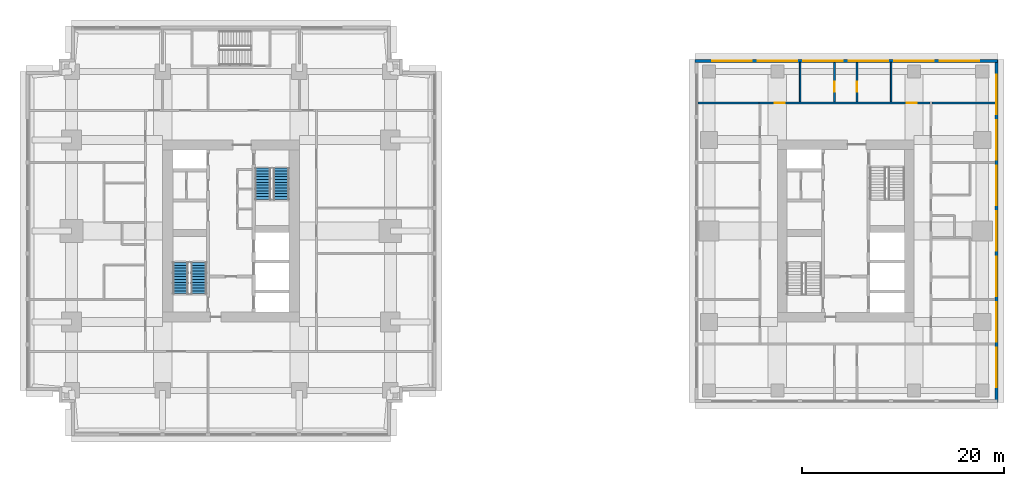
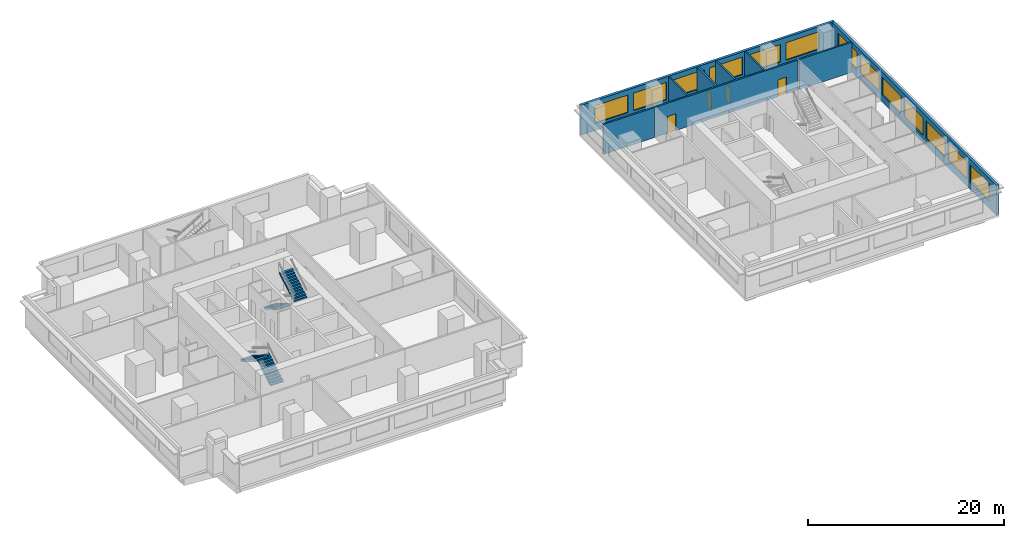
# One storey, part 8 of 11: 13 windows, 9 walls, 4 doors, 4 stair flights, 17 openings, 2 elements without a shape of their own.
"""IFC4 building model written with IfcOpenShell, lengths in metres."""

from ifc_helpers import new_model, si_unit, direction, frame, frame_2d, origin, place, context, subcontext, project, spatial, polyline, rectangle, outline, extrude, material, layer, layer_set, type_object, element, fill, aggregate, save


model = new_model("IFC4")

# Units and contexts
model_context = context("Model", 3, precision=1e-05, world=origin(), true_north=direction((0.0, 1.0)))
body_context = subcontext(model_context, "Body", "Model", "MODEL_VIEW")
ifc_project = project(units=[si_unit("LENGTHUNIT", "METRE"), si_unit("AREAUNIT", "SQUARE_METRE"), si_unit("VOLUMEUNIT", "CUBIC_METRE"), si_unit("PLANEANGLEUNIT", "RADIAN"), si_unit("MASSUNIT", "GRAM", prefix="KILO")], contexts=[model_context])

# Site, building, storey
site_placement = place(None, origin())
site = spatial("IfcSite", under=ifc_project, at=site_placement, CompositionType="ELEMENT")
building_placement = place(site_placement, origin())
building = spatial("IfcBuilding", under=site, at=building_placement, Name="Namib Vertical Campus", CompositionType="ELEMENT")
storey_placement = place(building_placement, frame((0.0, 0.0, 217.0)))
storey = spatial("IfcBuildingStorey", under=building, at=storey_placement, Name="L51", CompositionType="ELEMENT", Elevation=217.0)

# Wall, openings, doors
ifc_material_1 = material(Name="Concrete masonry", Category="masonry")
ifc_layer_1 = layer(ifc_material_1, 0.199951171875)
ifc_layer_set_1 = layer_set([ifc_layer_1], Name="Corridor wall 200")
wall_type_1 = type_object("IfcWallType", Name="Corridor wall 200", PredefinedType="SOLIDWALL", material=ifc_layer_set_1)
wall_1_placement = place(storey_placement, frame((89.35009765625, 32.89990234375, 0.0), z_axis=(0.0, 0.0, 1.0), x_axis=(-1.0, 0.0, 0.0)))
wall_1 = element("IfcWall", 1, at=wall_1_placement, inside=storey, type_object=wall_type_1, Name="Corridor wall B L51 CN", PredefinedType="SOLIDWALL", context=body_context, shape_type="SweptSolid", body=[
    extrude(rectangle(XDim=16.900146484375, YDim=0.199951171875, at=frame_2d((8.4501953125, 0.0))), origin(), (0.0, 0.0, 1.0), 3.75),
])
opening_1_placement = place(wall_1_placement, frame((14.375, 0.0, 0.0)))
opening_1 = element("IfcOpeningElement", 2, at=opening_1_placement, cuts=wall_1, Name="Opening CD1", PredefinedType="OPENING", context=body_context, shape_type="SweptSolid", body=[
    extrude(rectangle(XDim=1.0, YDim=2.10009765625, at=frame_2d((0.5, 1.050048828125))), frame((0.0, 0.10986328125, 0.0), z_axis=(0.0, -1.0, 0.0), x_axis=(1.0, 0.0, 0.0)), (0.0, 0.0, 1.0), 0.219970703125),
])
opening_2_placement = place(wall_1_placement, frame((1.324951171875, 0.0, 0.0)))
opening_2 = element("IfcOpeningElement", 3, at=opening_2_placement, cuts=wall_1, Name="Opening CD1", PredefinedType="OPENING", context=body_context, shape_type="SweptSolid", body=[
    extrude(rectangle(XDim=1.0, YDim=2.10009765625, at=frame_2d((0.5, 1.050048828125))), frame((0.0, 0.10986328125, 0.0), z_axis=(0.0, -1.0, 0.0), x_axis=(1.0, 0.0, 0.0)), (0.0, 0.0, 1.0), 0.219970703125),
])
ifc_material_2 = material(Name="Timber fire door leaf", Category="wood")
door_type = type_object("IfcDoorType", Name="Corridor door 1000x2100 20 min", OperationType="SINGLE_SWING_LEFT", PredefinedType="DOOR", material=ifc_material_2)
door_1_placement = place(opening_1_placement, frame((1.0, 0.0, 0.0), z_axis=(0.0, 0.0, 1.0), x_axis=(-1.0, 0.0, 0.0)))
door_1 = element("IfcDoor", 4, at=door_1_placement, inside=storey, type_object=door_type, Name="Door CD1 B51-10", OperationType="SINGLE_SWING_RIGHT", OverallHeight=2.10009765625, OverallWidth=1.0, PredefinedType="DOOR", context=body_context, shape_type="SweptSolid", body=[
    extrude(rectangle(XDim=1.0, YDim=2.10009765625, at=frame_2d((0.5, 1.050048828125))), frame((0.0, 0.02490234375, 0.0), z_axis=(0.0, -1.0, 0.0), x_axis=(1.0, 0.0, 0.0)), (0.0, 0.0, 1.0), 0.050048828125),
])
fill(opening_1, door_1)
door_2_placement = place(opening_2_placement, frame((1.0, 0.0, 0.0), z_axis=(0.0, 0.0, 1.0), x_axis=(-1.0, 0.0, 0.0)))
door_2 = element("IfcDoor", 5, at=door_2_placement, inside=storey, type_object=door_type, Name="Door CD1 B51-13", OperationType="SINGLE_SWING_LEFT", OverallHeight=2.10009765625, OverallWidth=1.0, PredefinedType="DOOR", context=body_context, shape_type="SweptSolid", body=[
    extrude(rectangle(XDim=1.0, YDim=2.10009765625, at=frame_2d((0.5, 1.050048828125))), frame((0.0, 0.02490234375, 0.0), z_axis=(0.0, -1.0, 0.0), x_axis=(1.0, 0.0, 0.0)), (0.0, 0.0, 1.0), 0.050048828125),
])
fill(opening_2, door_2)

# Wall, opening, door
wall_2_placement = place(storey_placement, frame((79.89990234375, 33.0, 0.0), z_axis=(0.0, 0.0, 1.0), x_axis=(0.0, 1.0, 0.0)))
wall_2 = element("IfcWall", 6, at=wall_2_placement, inside=storey, type_object=wall_type_1, Name="Corridor wall B L51 SPN1", PredefinedType="SOLIDWALL", context=body_context, shape_type="SweptSolid", body=[
    extrude(rectangle(XDim=3.89990234375, YDim=0.199951171875, at=frame_2d((1.949951171875, 0.0))), origin(), (0.0, 0.0, 1.0), 3.75),
])
opening_3_placement = place(wall_2_placement, frame((1.0, 0.0, 0.0)))
opening_3 = element("IfcOpeningElement", 7, at=opening_3_placement, cuts=wall_2, Name="Opening CD1", PredefinedType="OPENING", context=body_context, shape_type="SweptSolid", body=[
    extrude(rectangle(XDim=1.0, YDim=2.10009765625, at=frame_2d((0.5, 1.050048828125))), frame((0.0, 0.10986328125, 0.0), z_axis=(0.0, -1.0, 0.0), x_axis=(1.0, 0.0, 0.0)), (0.0, 0.0, 1.0), 0.219970703125),
])
door_3_placement = place(opening_3_placement, origin())
door_3 = element("IfcDoor", 8, at=door_3_placement, inside=storey, type_object=door_type, Name="Door CD1 B51-11", OperationType="SINGLE_SWING_LEFT", OverallHeight=2.10009765625, OverallWidth=1.0, PredefinedType="DOOR", context=body_context, shape_type="SweptSolid", body=[
    extrude(rectangle(XDim=1.0, YDim=2.10009765625, at=frame_2d((0.5, 1.050048828125))), frame((0.0, 0.02490234375, 0.0), z_axis=(0.0, -1.0, 0.0), x_axis=(1.0, 0.0, 0.0)), (0.0, 0.0, 1.0), 0.050048828125),
])
fill(opening_3, door_3)

wall_3_placement = place(storey_placement, frame((82.10009765625, 36.89990234375, 0.0), z_axis=(0.0, 0.0, 1.0), x_axis=(0.0, -1.0, 0.0)))
wall_3 = element("IfcWall", 9, at=wall_3_placement, inside=storey, type_object=wall_type_1, Name="Corridor wall B L51 SPN2", PredefinedType="SOLIDWALL", context=body_context, shape_type="SweptSolid", body=[
    extrude(rectangle(XDim=3.89990234375, YDim=0.199951171875, at=frame_2d((1.949951171875, 0.0))), origin(), (0.0, 0.0, 1.0), 3.75),
])
opening_4_placement = place(wall_3_placement, frame((1.89990234375, 0.0, 0.0)))
opening_4 = element("IfcOpeningElement", 10, at=opening_4_placement, cuts=wall_3, Name="Opening CD1", PredefinedType="OPENING", context=body_context, shape_type="SweptSolid", body=[
    extrude(rectangle(XDim=1.0, YDim=2.10009765625, at=frame_2d((0.5, 1.050048828125))), frame((0.0, 0.10986328125, 0.0), z_axis=(0.0, -1.0, 0.0), x_axis=(1.0, 0.0, 0.0)), (0.0, 0.0, 1.0), 0.219970703125),
])
door_4_placement = place(opening_4_placement, origin())
door_4 = element("IfcDoor", 11, at=door_4_placement, inside=storey, type_object=door_type, Name="Door CD1 B51-12", OperationType="SINGLE_SWING_RIGHT", OverallHeight=2.10009765625, OverallWidth=1.0, PredefinedType="DOOR", context=body_context, shape_type="SweptSolid", body=[
    extrude(rectangle(XDim=1.0, YDim=2.10009765625, at=frame_2d((0.5, 1.050048828125))), frame((0.0, 0.02490234375, 0.0), z_axis=(0.0, -1.0, 0.0), x_axis=(1.0, 0.0, 0.0)), (0.0, 0.0, 1.0), 0.050048828125),
])
fill(opening_4, door_4)

# Walls
wall_4_placement = place(storey_placement, frame((66.39990234375, 32.89990234375, 0.0), z_axis=(0.0, 0.0, 1.0), x_axis=(1.0, 0.0, 0.0)))
element("IfcWall", 12, at=wall_4_placement, inside=storey, type_object=wall_type_1, Name="Partition B L51 BNW", PredefinedType="SOLIDWALL", context=body_context, shape_type="SweptSolid", body=[
    extrude(rectangle(XDim=6.050048828125, YDim=0.199951171875, at=frame_2d((3.02490234375, 0.0))), origin(), (0.0, 0.0, 1.0), 3.75),
])
wall_5_placement = place(storey_placement, frame((89.550048828125, 32.89990234375, 0.0), z_axis=(0.0, 0.0, 1.0), x_axis=(1.0, 0.0, 0.0)))
element("IfcWall", 13, at=wall_5_placement, inside=storey, type_object=wall_type_1, Name="Partition B L51 BNE", PredefinedType="SOLIDWALL", context=body_context, shape_type="SweptSolid", body=[
    extrude(rectangle(XDim=6.199951171875, YDim=0.199951171875, at=frame_2d((3.10009765625, 0.0))), origin(), (0.0, 0.0, 1.0), 3.75),
])

# Wall, openings, windows
ifc_material_3 = material(Name="Concrete C40/50", Category="concrete")
ifc_layer_2 = layer(ifc_material_3, 0.300048828125)
ifc_layer_set_2 = layer_set([ifc_layer_2], Name="Concrete C40/50")
wall_type_2 = type_object("IfcWallType", Name="External wall 300 board-marked concrete", PredefinedType="STANDARD", material=ifc_layer_set_2)
wall_6_placement = place(storey_placement, frame((95.89990234375, 3.320068359375, 0.0), z_axis=(0.0, 0.0, 1.0), x_axis=(0.0, 1.0, 0.0)))
wall_6 = element("IfcWall", 14, at=wall_6_placement, inside=storey, type_object=wall_type_2, Name="External wall L51 F02", PredefinedType="STANDARD", context=body_context, shape_type="SweptSolid", body=[
    extrude(rectangle(XDim=33.85986328125, YDim=0.300048828125, at=frame_2d((16.929931640625, 0.0))), origin(), (0.0, 0.0, 1.0), 3.75),
])
opening_5_placement = place(wall_6_placement, frame((1.47998046875, 0.0, 0.89990234375)))
opening_5 = element("IfcOpeningElement", 15, at=opening_5_placement, cuts=wall_6, Name="Opening W1", PredefinedType="OPENING", context=body_context, shape_type="SweptSolid", body=[
    extrude(rectangle(XDim=3.89990234375, YDim=2.199951171875, at=frame_2d((1.949951171875, 1.10009765625))), frame((0.0, 0.159912109375, 0.0), z_axis=(0.0, -1.0, 0.0), x_axis=(1.0, 0.0, 0.0)), (0.0, 0.0, 1.0), 0.320068359375),
])
opening_6_placement = place(wall_6_placement, frame((5.97998046875, 0.0, 0.89990234375)))
opening_6 = element("IfcOpeningElement", 16, at=opening_6_placement, cuts=wall_6, Name="Opening W1", PredefinedType="OPENING", context=body_context, shape_type="SweptSolid", body=[
    extrude(rectangle(XDim=3.89990234375, YDim=2.199951171875, at=frame_2d((1.949951171875, 1.10009765625))), frame((0.0, 0.159912109375, 0.0), z_axis=(0.0, -1.0, 0.0), x_axis=(1.0, 0.0, 0.0)), (0.0, 0.0, 1.0), 0.320068359375),
])
opening_7_placement = place(wall_6_placement, frame((10.47998046875, 0.0, 0.89990234375)))
opening_7 = element("IfcOpeningElement", 17, at=opening_7_placement, cuts=wall_6, Name="Opening W1", PredefinedType="OPENING", context=body_context, shape_type="SweptSolid", body=[
    extrude(rectangle(XDim=3.89990234375, YDim=2.199951171875, at=frame_2d((1.949951171875, 1.10009765625))), frame((0.0, 0.159912109375, 0.0), z_axis=(0.0, -1.0, 0.0), x_axis=(1.0, 0.0, 0.0)), (0.0, 0.0, 1.0), 0.320068359375),
])
opening_8_placement = place(wall_6_placement, frame((14.97998046875, 0.0, 0.89990234375)))
opening_8 = element("IfcOpeningElement", 18, at=opening_8_placement, cuts=wall_6, Name="Opening W1", PredefinedType="OPENING", context=body_context, shape_type="SweptSolid", body=[
    extrude(rectangle(XDim=3.89990234375, YDim=2.199951171875, at=frame_2d((1.949951171875, 1.10009765625))), frame((0.0, 0.159912109375, 0.0), z_axis=(0.0, -1.0, 0.0), x_axis=(1.0, 0.0, 0.0)), (0.0, 0.0, 1.0), 0.320068359375),
])
opening_9_placement = place(wall_6_placement, frame((19.47998046875, 0.0, 0.89990234375)))
opening_9 = element("IfcOpeningElement", 19, at=opening_9_placement, cuts=wall_6, Name="Opening W1", PredefinedType="OPENING", context=body_context, shape_type="SweptSolid", body=[
    extrude(rectangle(XDim=3.89990234375, YDim=2.199951171875, at=frame_2d((1.949951171875, 1.10009765625))), frame((0.0, 0.159912109375, 0.0), z_axis=(0.0, -1.0, 0.0), x_axis=(1.0, 0.0, 0.0)), (0.0, 0.0, 1.0), 0.320068359375),
])
opening_10_placement = place(wall_6_placement, frame((23.97998046875, 0.0, 0.89990234375)))
opening_10 = element("IfcOpeningElement", 20, at=opening_10_placement, cuts=wall_6, Name="Opening W1", PredefinedType="OPENING", context=body_context, shape_type="SweptSolid", body=[
    extrude(rectangle(XDim=3.89990234375, YDim=2.199951171875, at=frame_2d((1.949951171875, 1.10009765625))), frame((0.0, 0.159912109375, 0.0), z_axis=(0.0, -1.0, 0.0), x_axis=(1.0, 0.0, 0.0)), (0.0, 0.0, 1.0), 0.320068359375),
])
opening_11_placement = place(wall_6_placement, frame((28.47998046875, 0.0, 0.89990234375)))
opening_11 = element("IfcOpeningElement", 21, at=opening_11_placement, cuts=wall_6, Name="Opening W1", PredefinedType="OPENING", context=body_context, shape_type="SweptSolid", body=[
    extrude(rectangle(XDim=3.89990234375, YDim=2.199951171875, at=frame_2d((1.949951171875, 1.10009765625))), frame((0.0, 0.159912109375, 0.0), z_axis=(0.0, -1.0, 0.0), x_axis=(1.0, 0.0, 0.0)), (0.0, 0.0, 1.0), 0.320068359375),
])
ifc_material_4 = material(Name="Dark tinted glass in black aluminium frame", Category="aluminium")
window_type = type_object("IfcWindowType", Name="Ribbon window 3900x2200", PartitioningType="SINGLE_PANEL", PredefinedType="WINDOW", material=ifc_material_4)
window_1_placement = place(opening_5_placement, origin())
window_1 = element("IfcWindow", 22, at=window_1_placement, inside=storey, type_object=window_type, Name="Window W1 L51 F02-1", OverallHeight=2.199951171875, OverallWidth=3.89990234375, PartitioningType="SINGLE_PANEL", PredefinedType="WINDOW", context=body_context, shape_type="SweptSolid", body=[
    extrude(rectangle(XDim=3.89990234375, YDim=2.199951171875, at=frame_2d((1.949951171875, 1.10009765625))), frame((0.0, 0.030029296875, 0.0), z_axis=(0.0, -1.0, 0.0), x_axis=(1.0, 0.0, 0.0)), (0.0, 0.0, 1.0), 0.06005859375),
])
fill(opening_5, window_1)
window_2_placement = place(opening_6_placement, origin())
window_2 = element("IfcWindow", 23, at=window_2_placement, inside=storey, type_object=window_type, Name="Window W1 L51 F02-2", OverallHeight=2.199951171875, OverallWidth=3.89990234375, PartitioningType="SINGLE_PANEL", PredefinedType="WINDOW", context=body_context, shape_type="SweptSolid", body=[
    extrude(rectangle(XDim=3.89990234375, YDim=2.199951171875, at=frame_2d((1.949951171875, 1.10009765625))), frame((0.0, 0.030029296875, 0.0), z_axis=(0.0, -1.0, 0.0), x_axis=(1.0, 0.0, 0.0)), (0.0, 0.0, 1.0), 0.06005859375),
])
fill(opening_6, window_2)
window_3_placement = place(opening_7_placement, origin())
window_3 = element("IfcWindow", 24, at=window_3_placement, inside=storey, type_object=window_type, Name="Window W1 L51 F02-3", OverallHeight=2.199951171875, OverallWidth=3.89990234375, PartitioningType="SINGLE_PANEL", PredefinedType="WINDOW", context=body_context, shape_type="SweptSolid", body=[
    extrude(rectangle(XDim=3.89990234375, YDim=2.199951171875, at=frame_2d((1.949951171875, 1.10009765625))), frame((0.0, 0.030029296875, 0.0), z_axis=(0.0, -1.0, 0.0), x_axis=(1.0, 0.0, 0.0)), (0.0, 0.0, 1.0), 0.06005859375),
])
fill(opening_7, window_3)
window_4_placement = place(opening_8_placement, origin())
window_4 = element("IfcWindow", 25, at=window_4_placement, inside=storey, type_object=window_type, Name="Window W1 L51 F02-4", OverallHeight=2.199951171875, OverallWidth=3.89990234375, PartitioningType="SINGLE_PANEL", PredefinedType="WINDOW", context=body_context, shape_type="SweptSolid", body=[
    extrude(rectangle(XDim=3.89990234375, YDim=2.199951171875, at=frame_2d((1.949951171875, 1.10009765625))), frame((0.0, 0.030029296875, 0.0), z_axis=(0.0, -1.0, 0.0), x_axis=(1.0, 0.0, 0.0)), (0.0, 0.0, 1.0), 0.06005859375),
])
fill(opening_8, window_4)
window_5_placement = place(opening_9_placement, origin())
window_5 = element("IfcWindow", 26, at=window_5_placement, inside=storey, type_object=window_type, Name="Window W1 L51 F02-5", OverallHeight=2.199951171875, OverallWidth=3.89990234375, PartitioningType="SINGLE_PANEL", PredefinedType="WINDOW", context=body_context, shape_type="SweptSolid", body=[
    extrude(rectangle(XDim=3.89990234375, YDim=2.199951171875, at=frame_2d((1.949951171875, 1.10009765625))), frame((0.0, 0.030029296875, 0.0), z_axis=(0.0, -1.0, 0.0), x_axis=(1.0, 0.0, 0.0)), (0.0, 0.0, 1.0), 0.06005859375),
])
fill(opening_9, window_5)
window_6_placement = place(opening_10_placement, origin())
window_6 = element("IfcWindow", 27, at=window_6_placement, inside=storey, type_object=window_type, Name="Window W1 L51 F02-6", OverallHeight=2.199951171875, OverallWidth=3.89990234375, PartitioningType="SINGLE_PANEL", PredefinedType="WINDOW", context=body_context, shape_type="SweptSolid", body=[
    extrude(rectangle(XDim=3.89990234375, YDim=2.199951171875, at=frame_2d((1.949951171875, 1.10009765625))), frame((0.0, 0.030029296875, 0.0), z_axis=(0.0, -1.0, 0.0), x_axis=(1.0, 0.0, 0.0)), (0.0, 0.0, 1.0), 0.06005859375),
])
fill(opening_10, window_6)
window_7_placement = place(opening_11_placement, origin())
window_7 = element("IfcWindow", 28, at=window_7_placement, inside=storey, type_object=window_type, Name="Window W1 L51 F02-7", OverallHeight=2.199951171875, OverallWidth=3.89990234375, PartitioningType="SINGLE_PANEL", PredefinedType="WINDOW", context=body_context, shape_type="SweptSolid", body=[
    extrude(rectangle(XDim=3.89990234375, YDim=2.199951171875, at=frame_2d((1.949951171875, 1.10009765625))), frame((0.0, 0.030029296875, 0.0), z_axis=(0.0, -1.0, 0.0), x_axis=(1.0, 0.0, 0.0)), (0.0, 0.0, 1.0), 0.06005859375),
])
fill(opening_11, window_7)

wall_7_placement = place(storey_placement, frame((96.030029296875, 37.050048828125, 0.0), z_axis=(0.0, 0.0, 1.0), x_axis=(-1.0, 0.0, 0.0)))
wall_7 = element("IfcWall", 29, at=wall_7_placement, inside=storey, type_object=wall_type_2, Name="External wall L51 F03", PredefinedType="STANDARD", context=body_context, shape_type="SweptSolid", body=[
    extrude(rectangle(XDim=29.909912109375, YDim=0.300048828125, at=frame_2d((14.955078125, 0.0))), origin(), (0.0, 0.0, 1.0), 3.75),
])
opening_12_placement = place(wall_7_placement, frame((24.330078125, 0.0, 0.89990234375)))
opening_12 = element("IfcOpeningElement", 30, at=opening_12_placement, cuts=wall_7, Name="Opening W1", PredefinedType="OPENING", context=body_context, shape_type="SweptSolid", body=[
    extrude(rectangle(XDim=3.89990234375, YDim=2.199951171875, at=frame_2d((1.949951171875, 1.10009765625))), frame((0.0, 0.159912109375, 0.0), z_axis=(0.0, -1.0, 0.0), x_axis=(1.0, 0.0, 0.0)), (0.0, 0.0, 1.0), 0.320068359375),
])
opening_13_placement = place(wall_7_placement, frame((19.830078125, 0.0, 0.89990234375)))
opening_13 = element("IfcOpeningElement", 31, at=opening_13_placement, cuts=wall_7, Name="Opening W1", PredefinedType="OPENING", context=body_context, shape_type="SweptSolid", body=[
    extrude(rectangle(XDim=3.89990234375, YDim=2.199951171875, at=frame_2d((1.949951171875, 1.10009765625))), frame((0.0, 0.159912109375, 0.0), z_axis=(0.0, -1.0, 0.0), x_axis=(1.0, 0.0, 0.0)), (0.0, 0.0, 1.0), 0.320068359375),
])
opening_14_placement = place(wall_7_placement, frame((15.330078125, 0.0, 0.89990234375)))
opening_14 = element("IfcOpeningElement", 32, at=opening_14_placement, cuts=wall_7, Name="Opening W1", PredefinedType="OPENING", context=body_context, shape_type="SweptSolid", body=[
    extrude(rectangle(XDim=3.89990234375, YDim=2.199951171875, at=frame_2d((1.949951171875, 1.10009765625))), frame((0.0, 0.159912109375, 0.0), z_axis=(0.0, -1.0, 0.0), x_axis=(1.0, 0.0, 0.0)), (0.0, 0.0, 1.0), 0.320068359375),
])
opening_15_placement = place(wall_7_placement, frame((10.830078125, 0.0, 0.89990234375)))
opening_15 = element("IfcOpeningElement", 33, at=opening_15_placement, cuts=wall_7, Name="Opening W1", PredefinedType="OPENING", context=body_context, shape_type="SweptSolid", body=[
    extrude(rectangle(XDim=3.89990234375, YDim=2.199951171875, at=frame_2d((1.949951171875, 1.10009765625))), frame((0.0, 0.159912109375, 0.0), z_axis=(0.0, -1.0, 0.0), x_axis=(1.0, 0.0, 0.0)), (0.0, 0.0, 1.0), 0.320068359375),
])
opening_16_placement = place(wall_7_placement, frame((6.330078125, 0.0, 0.89990234375)))
opening_16 = element("IfcOpeningElement", 34, at=opening_16_placement, cuts=wall_7, Name="Opening W1", PredefinedType="OPENING", context=body_context, shape_type="SweptSolid", body=[
    extrude(rectangle(XDim=3.89990234375, YDim=2.199951171875, at=frame_2d((1.949951171875, 1.10009765625))), frame((0.0, 0.159912109375, 0.0), z_axis=(0.0, -1.0, 0.0), x_axis=(1.0, 0.0, 0.0)), (0.0, 0.0, 1.0), 0.320068359375),
])
opening_17_placement = place(wall_7_placement, frame((1.830078125, 0.0, 0.89990234375)))
opening_17 = element("IfcOpeningElement", 35, at=opening_17_placement, cuts=wall_7, Name="Opening W1", PredefinedType="OPENING", context=body_context, shape_type="SweptSolid", body=[
    extrude(rectangle(XDim=3.89990234375, YDim=2.199951171875, at=frame_2d((1.949951171875, 1.10009765625))), frame((0.0, 0.159912109375, 0.0), z_axis=(0.0, -1.0, 0.0), x_axis=(1.0, 0.0, 0.0)), (0.0, 0.0, 1.0), 0.320068359375),
])
window_8_placement = place(opening_12_placement, origin())
window_8 = element("IfcWindow", 36, at=window_8_placement, inside=storey, type_object=window_type, Name="Window W1 L51 F03-1", OverallHeight=2.199951171875, OverallWidth=3.89990234375, PartitioningType="SINGLE_PANEL", PredefinedType="WINDOW", context=body_context, shape_type="SweptSolid", body=[
    extrude(rectangle(XDim=3.89990234375, YDim=2.199951171875, at=frame_2d((1.949951171875, 1.10009765625))), frame((0.0, 0.030029296875, 0.0), z_axis=(0.0, -1.0, 0.0), x_axis=(1.0, 0.0, 0.0)), (0.0, 0.0, 1.0), 0.06005859375),
])
fill(opening_12, window_8)
window_9_placement = place(opening_13_placement, origin())
window_9 = element("IfcWindow", 37, at=window_9_placement, inside=storey, type_object=window_type, Name="Window W1 L51 F03-2", OverallHeight=2.199951171875, OverallWidth=3.89990234375, PartitioningType="SINGLE_PANEL", PredefinedType="WINDOW", context=body_context, shape_type="SweptSolid", body=[
    extrude(rectangle(XDim=3.89990234375, YDim=2.199951171875, at=frame_2d((1.949951171875, 1.10009765625))), frame((0.0, 0.030029296875, 0.0), z_axis=(0.0, -1.0, 0.0), x_axis=(1.0, 0.0, 0.0)), (0.0, 0.0, 1.0), 0.06005859375),
])
fill(opening_13, window_9)
window_10_placement = place(opening_14_placement, origin())
window_10 = element("IfcWindow", 38, at=window_10_placement, inside=storey, type_object=window_type, Name="Window W1 L51 F03-3", OverallHeight=2.199951171875, OverallWidth=3.89990234375, PartitioningType="SINGLE_PANEL", PredefinedType="WINDOW", context=body_context, shape_type="SweptSolid", body=[
    extrude(rectangle(XDim=3.89990234375, YDim=2.199951171875, at=frame_2d((1.949951171875, 1.10009765625))), frame((0.0, 0.030029296875, 0.0), z_axis=(0.0, -1.0, 0.0), x_axis=(1.0, 0.0, 0.0)), (0.0, 0.0, 1.0), 0.06005859375),
])
fill(opening_14, window_10)
window_11_placement = place(opening_15_placement, origin())
window_11 = element("IfcWindow", 39, at=window_11_placement, inside=storey, type_object=window_type, Name="Window W1 L51 F03-4", OverallHeight=2.199951171875, OverallWidth=3.89990234375, PartitioningType="SINGLE_PANEL", PredefinedType="WINDOW", context=body_context, shape_type="SweptSolid", body=[
    extrude(rectangle(XDim=3.89990234375, YDim=2.199951171875, at=frame_2d((1.949951171875, 1.10009765625))), frame((0.0, 0.030029296875, 0.0), z_axis=(0.0, -1.0, 0.0), x_axis=(1.0, 0.0, 0.0)), (0.0, 0.0, 1.0), 0.06005859375),
])
fill(opening_15, window_11)
window_12_placement = place(opening_16_placement, origin())
window_12 = element("IfcWindow", 40, at=window_12_placement, inside=storey, type_object=window_type, Name="Window W1 L51 F03-5", OverallHeight=2.199951171875, OverallWidth=3.89990234375, PartitioningType="SINGLE_PANEL", PredefinedType="WINDOW", context=body_context, shape_type="SweptSolid", body=[
    extrude(rectangle(XDim=3.89990234375, YDim=2.199951171875, at=frame_2d((1.949951171875, 1.10009765625))), frame((0.0, 0.030029296875, 0.0), z_axis=(0.0, -1.0, 0.0), x_axis=(1.0, 0.0, 0.0)), (0.0, 0.0, 1.0), 0.06005859375),
])
fill(opening_16, window_12)
window_13_placement = place(opening_17_placement, origin())
window_13 = element("IfcWindow", 41, at=window_13_placement, inside=storey, type_object=window_type, Name="Window W1 L51 F03-6", OverallHeight=2.199951171875, OverallWidth=3.89990234375, PartitioningType="SINGLE_PANEL", PredefinedType="WINDOW", context=body_context, shape_type="SweptSolid", body=[
    extrude(rectangle(XDim=3.89990234375, YDim=2.199951171875, at=frame_2d((1.949951171875, 1.10009765625))), frame((0.0, 0.030029296875, 0.0), z_axis=(0.0, -1.0, 0.0), x_axis=(1.0, 0.0, 0.0)), (0.0, 0.0, 1.0), 0.06005859375),
])
fill(opening_17, window_13)

# Walls
ifc_material_5 = material(Name="Gypsum board on steel studs", Category="steel")
ifc_layer_3 = layer(ifc_material_5, 0.14990234375)
ifc_layer_set_3 = layer_set([ifc_layer_3], Name="Gypsum board on steel studs")
wall_type_3 = type_object("IfcWallType", Name="Partition 150", PredefinedType="PARTITIONING", material=ifc_layer_set_3)
for number, where, z_axis, x_axis, name in (
    (42, (76.5, 33.0, 0.0), (0.0, 0.0, 1.0), (0.0, 1.0, 0.0), "Partition B L51 PN1"),
    (43, (85.5, 33.0, 0.0), (0.0, 0.0, 1.0), (0.0, 1.0, 0.0), "Partition B L51 PN4"),
):
    element("IfcWall", number, at=place(storey_placement, frame(where, z_axis=z_axis, x_axis=x_axis)), inside=storey, type_object=wall_type_3, Name=name, PredefinedType="PARTITIONING", context=body_context, shape_type="SweptSolid", body=[
        extrude(rectangle(XDim=3.89990234375, YDim=0.14990234375, at=frame_2d((1.949951171875, 0.0))), origin(), (0.0, 0.0, 1.0), 3.75),
    ])

# Stair, stair flights
ifc_material_6 = material(Name="Concrete C40/50 precast", Category="concrete")
stair_type = type_object("IfcStairType", Name="Exit stair 4000 rise 24 risers 3350 wide", PredefinedType="HALF_TURN_STAIR", material=ifc_material_6)
stair_1_placement = place(storey_placement, origin())
stair_1 = element("IfcStair", 44, at=stair_1_placement, inside=storey, type_object=stair_type, Name="Exit stair A-S1 L51", PredefinedType="HALF_TURN_STAIR")
ifc_material_7 = material(Name="Concrete C40/50 precast", Category="concrete")
stair_flight_type = type_object("IfcStairFlightType", Name="Stair flight 12 risers 167 1525 wide", PredefinedType="STRAIGHT", material=ifc_material_7)
stair_flight_1_placement = place(storey_placement, frame((17.08740234375, 14.050048828125, 0.0), z_axis=(0.0, 0.0, 1.0), x_axis=(0.0, 1.0, 0.0)))
stair_flight_1 = element("IfcStairFlight", 45, at=stair_flight_1_placement, type_object=stair_flight_type, Name="A-S1 flight 1", NumberOfRisers=12, NumberOfTreads=11, PredefinedType="STRAIGHT", RiserHeight=0.166666667, TreadLength=0.28, context=body_context, shape_type="SweptSolid", body=[
    extrude(outline(polyline([(0.0, 0.0), (0.0, 0.166748046875), (0.280029296875, 0.166748046875), (0.280029296875, 0.333251953125), (0.56005859375, 0.333251953125), (0.56005859375, 0.5), (0.840087890625, 0.5), (0.840087890625, 0.666748046875), (1.1201171875, 0.666748046875), (1.1201171875, 0.833251953125), (1.39990234375, 0.833251953125), (1.39990234375, 1.0), (1.679931640625, 1.0), (1.679931640625, 1.166748046875), (1.9599609375, 1.166748046875), (1.9599609375, 1.333251953125), (2.239990234375, 1.333251953125), (2.239990234375, 1.5), (2.52001953125, 1.5), (2.52001953125, 1.666748046875), (2.800048828125, 1.666748046875), (2.800048828125, 1.833251953125), (3.080078125, 1.833251953125), (3.080078125, 2.0), (3.080078125, 1.658935546875), (0.29296875, 0.0), (0.0, 0.0)])), frame((0.0, 0.762451171875, 0.0), z_axis=(0.0, -1.0, 0.0), x_axis=(1.0, 0.0, 0.0)), (0.0, 0.0, 1.0), 1.52490234375),
])
stair_flight_2_placement = place(storey_placement, frame((15.262451171875, 17.1298828125, 2.0), z_axis=(0.0, 0.0, 1.0), x_axis=(0.0, -1.0, 0.0)))
stair_flight_2 = element("IfcStairFlight", 46, at=stair_flight_2_placement, type_object=stair_flight_type, Name="A-S1 flight 2", NumberOfRisers=12, NumberOfTreads=11, PredefinedType="STRAIGHT", RiserHeight=0.166666667, TreadLength=0.28, context=body_context, shape_type="SweptSolid", body=[
    extrude(outline(polyline([(0.0, 0.0), (0.0, 0.166748046875), (0.280029296875, 0.166748046875), (0.280029296875, 0.333251953125), (0.56005859375, 0.333251953125), (0.56005859375, 0.5), (0.840087890625, 0.5), (0.840087890625, 0.666748046875), (1.1201171875, 0.666748046875), (1.1201171875, 0.833251953125), (1.39990234375, 0.833251953125), (1.39990234375, 1.0), (1.679931640625, 1.0), (1.679931640625, 1.166748046875), (1.9599609375, 1.166748046875), (1.9599609375, 1.333251953125), (2.239990234375, 1.333251953125), (2.239990234375, 1.5), (2.52001953125, 1.5), (2.52001953125, 1.666748046875), (2.800048828125, 1.666748046875), (2.800048828125, 1.833251953125), (3.080078125, 1.833251953125), (3.080078125, 2.0), (3.080078125, 1.658935546875), (0.29296875, 0.0), (0.0, 0.0)])), frame((0.0, 0.762451171875, 0.0), z_axis=(0.0, -1.0, 0.0), x_axis=(1.0, 0.0, 0.0)), (0.0, 0.0, 1.0), 1.52490234375),
])
aggregate(stair_1, [stair_flight_1, stair_flight_2])

stair_2_placement = place(storey_placement, origin())
stair_2 = element("IfcStair", 47, at=stair_2_placement, inside=storey, type_object=stair_type, Name="Exit stair A-S2 L51", PredefinedType="HALF_TURN_STAIR")
stair_flight_3_placement = place(storey_placement, frame((23.41259765625, 26.449951171875, 0.0), z_axis=(0.0, 0.0, 1.0), x_axis=(0.0, -1.0, 0.0)))
stair_flight_3 = element("IfcStairFlight", 48, at=stair_flight_3_placement, type_object=stair_flight_type, Name="A-S2 flight 1", NumberOfRisers=12, NumberOfTreads=11, PredefinedType="STRAIGHT", RiserHeight=0.166666667, TreadLength=0.28, context=body_context, shape_type="SweptSolid", body=[
    extrude(outline(polyline([(0.0, 0.0), (0.0, 0.166748046875), (0.280029296875, 0.166748046875), (0.280029296875, 0.333251953125), (0.56005859375, 0.333251953125), (0.56005859375, 0.5), (0.840087890625, 0.5), (0.840087890625, 0.666748046875), (1.1201171875, 0.666748046875), (1.1201171875, 0.833251953125), (1.39990234375, 0.833251953125), (1.39990234375, 1.0), (1.679931640625, 1.0), (1.679931640625, 1.166748046875), (1.9599609375, 1.166748046875), (1.9599609375, 1.333251953125), (2.239990234375, 1.333251953125), (2.239990234375, 1.5), (2.52001953125, 1.5), (2.52001953125, 1.666748046875), (2.800048828125, 1.666748046875), (2.800048828125, 1.833251953125), (3.080078125, 1.833251953125), (3.080078125, 2.0), (3.080078125, 1.658935546875), (0.29296875, 0.0), (0.0, 0.0)])), frame((0.0, 0.762451171875, 0.0), z_axis=(0.0, -1.0, 0.0), x_axis=(1.0, 0.0, 0.0)), (0.0, 0.0, 1.0), 1.52490234375),
])
stair_flight_4_placement = place(storey_placement, frame((25.237548828125, 23.3701171875, 2.0), z_axis=(0.0, 0.0, 1.0), x_axis=(0.0, 1.0, 0.0)))
stair_flight_4 = element("IfcStairFlight", 49, at=stair_flight_4_placement, type_object=stair_flight_type, Name="A-S2 flight 2", NumberOfRisers=12, NumberOfTreads=11, PredefinedType="STRAIGHT", RiserHeight=0.166666667, TreadLength=0.28, context=body_context, shape_type="SweptSolid", body=[
    extrude(outline(polyline([(0.0, 0.0), (0.0, 0.166748046875), (0.280029296875, 0.166748046875), (0.280029296875, 0.333251953125), (0.56005859375, 0.333251953125), (0.56005859375, 0.5), (0.840087890625, 0.5), (0.840087890625, 0.666748046875), (1.1201171875, 0.666748046875), (1.1201171875, 0.833251953125), (1.39990234375, 0.833251953125), (1.39990234375, 1.0), (1.679931640625, 1.0), (1.679931640625, 1.166748046875), (1.9599609375, 1.166748046875), (1.9599609375, 1.333251953125), (2.239990234375, 1.333251953125), (2.239990234375, 1.5), (2.52001953125, 1.5), (2.52001953125, 1.666748046875), (2.800048828125, 1.666748046875), (2.800048828125, 1.833251953125), (3.080078125, 1.833251953125), (3.080078125, 2.0), (3.080078125, 1.658935546875), (0.29296875, 0.0), (0.0, 0.0)])), frame((0.0, 0.762451171875, 0.0), z_axis=(0.0, -1.0, 0.0), x_axis=(1.0, 0.0, 0.0)), (0.0, 0.0, 1.0), 1.52490234375),
])
aggregate(stair_2, [stair_flight_3, stair_flight_4])

save(model, "model.ifc")
